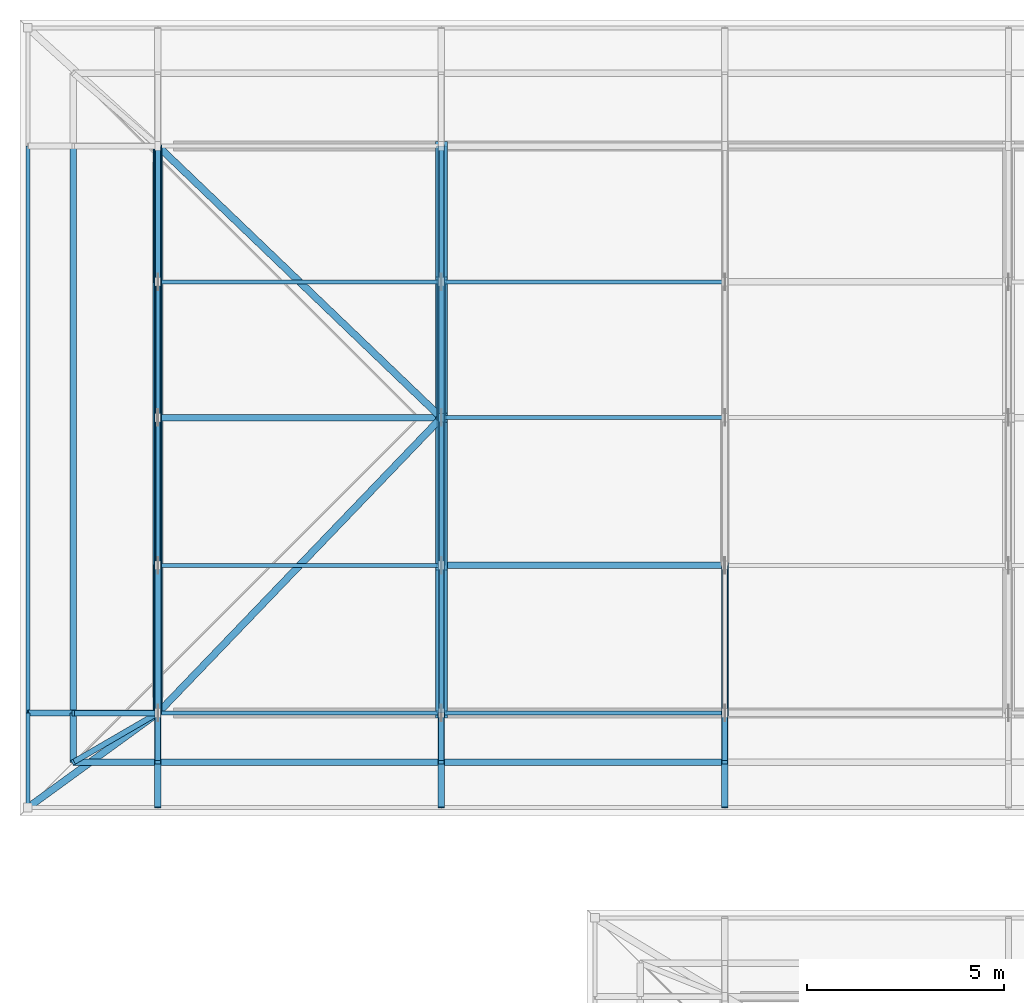
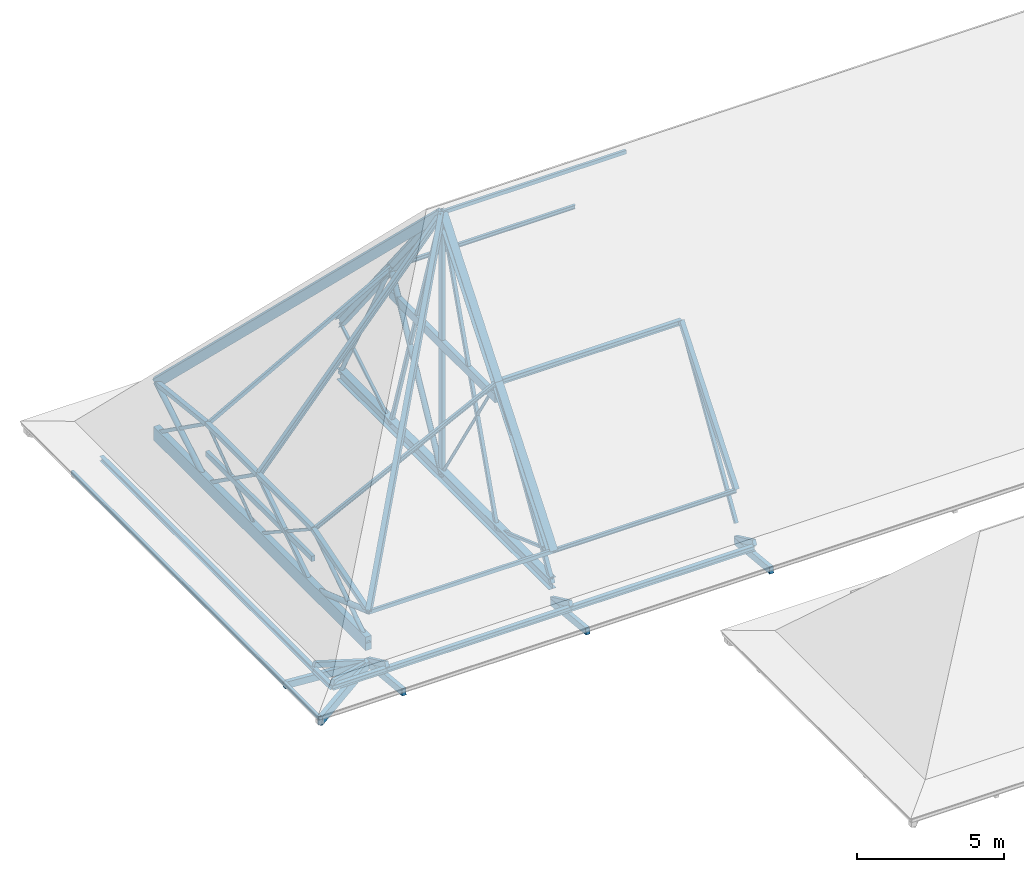
# One storey, part 2 of 12: 56 members, 2 beams.
"""IFC4 building model written with IfcOpenShell, lengths in metres."""

from ifc_helpers import new_model, si_unit, direction, frame, origin, origin_2d, place, context, subcontext, project, spatial, rectangle, hollow_rectangle, hollow_circle, i_section, extrude, material, material_profile, profile_set, type_object, element, save


model = new_model("IFC4")

# Units and contexts
model_context = context("Model", 3, precision=1e-05, world=origin(), true_north=direction((0.0, 1.0)))
body_context = subcontext(model_context, "Body", "Model", "MODEL_VIEW")
ifc_project = project(units=[si_unit("LENGTHUNIT", "METRE"), si_unit("AREAUNIT", "SQUARE_METRE"), si_unit("VOLUMEUNIT", "CUBIC_METRE"), si_unit("PLANEANGLEUNIT", "RADIAN"), si_unit("MASSUNIT", "GRAM", prefix="KILO")], contexts=[model_context])

# Site, building, storey
site_placement = place(None, origin())
site = spatial("IfcSite", under=ifc_project, at=site_placement, CompositionType="ELEMENT")
building_placement = place(site_placement, origin())
building = spatial("IfcBuilding", under=site, at=building_placement, Name="Steenspoor Specialist Clinic", CompositionType="ELEMENT")
storey_placement = place(building_placement, frame((0.0, 0.0, 25.800048828125)))
storey = spatial("IfcBuildingStorey", under=building, at=storey_placement, Name="RF", CompositionType="ELEMENT", Elevation=25.800048828125)

# Beams
ifc_material_1 = material(Name="Glulam GL28h", Category="wood")
ifc_material_profile_1 = material_profile(ifc_material_1, rectangle(XDim=0.239990234375, YDim=0.56005859375, at=origin_2d()), Name="GL28H-240X560")
ifc_profile_set_1 = profile_set([ifc_material_profile_1], Name="Glulam GL28h")
beam_type_1 = type_object("IfcBeamType", Name="BM-GL-240X560", PredefinedType="BEAM", material=ifc_profile_set_1)
beam_1_placement = place(storey_placement, frame((59.60009765625, 93.949951171875, 0.300048828125), z_axis=(0.0, 1.0, 0.0), x_axis=(-1.0, 0.0, 0.0)))
element("IfcBeam", 1, at=beam_1_placement, inside=storey, type_object=beam_type_1, Name="ROOF TRUSS Bottom Tie Chord V4 1", PredefinedType="BEAM", context=body_context, shape_type="SweptSolid", body=[
    extrude(rectangle(XDim=0.239990234375, YDim=0.56005859375, at=origin_2d()), origin(), (0.0, 0.0, 1.0), 14.400146484375),
])
ifc_material_2 = material(Name="Steel A992 Grade 50", Category="steel")
ifc_material_profile_2 = material_profile(ifc_material_2, i_section(OverallWidth=0.280029296875, OverallDepth=0.462890625, WebThickness=0.0107421875, FlangeThickness=0.017333984375, at=origin_2d()), Name="W460X113")
ifc_profile_set_2 = profile_set([ifc_material_profile_2], Name="Steel A992 Grade 50")
beam_type_2 = type_object("IfcBeamType", Name="BM-ST-W460X113", PredefinedType="BEAM", material=ifc_profile_set_2)
beam_2_placement = place(storey_placement, frame((66.800048828125, 93.949951171875, 0.25146484375), z_axis=(0.0, 1.0, 0.0), x_axis=(-1.0, 0.0, 0.0)))
element("IfcBeam", 2, at=beam_2_placement, inside=storey, type_object=beam_type_2, Name="ROOF TRUSS Bottom Tie Chord V4 2", PredefinedType="BEAM", context=body_context, shape_type="SweptSolid", body=[
    extrude(i_section(OverallWidth=0.280029296875, OverallDepth=0.462890625, WebThickness=0.0107421875, FlangeThickness=0.017333984375, at=origin_2d()), origin(), (0.0, 0.0, 1.0), 14.400146484375),
])

# Members
ifc_material_3 = material(Name="Steel A500 Grade C", Category="steel")
ifc_material_profile_3 = material_profile(ifc_material_3, hollow_circle(Radius=0.084228515625, WallThickness=0.007080078125, at=origin_2d()), Name="CHS168X7.1")
ifc_profile_set_3 = profile_set([ifc_material_profile_3], Name="Steel A500 Grade C")
member_type_1 = type_object("IfcMemberType", Name="MEM-BRACE-CHS168", PredefinedType="BRACE", material=ifc_profile_set_3)
member_1_placement = place(storey_placement, frame((59.60009765625, 93.949951171875, 0.300048828125), z_axis=(0.0, 0.836871699058, 0.547399085966), x_axis=(-1.0, 0.0, 0.0)))
element("IfcMember", 3, at=member_1_placement, inside=storey, type_object=member_type_1, Name="ROOF TRUSS Web Brace V4 1.1", PredefinedType="BRACE", context=body_context, shape_type="SweptSolid", body=[
    extrude(hollow_circle(Radius=0.084228515625, WallThickness=0.007080078125, at=origin_2d()), origin(), (0.0, 0.0, 1.0), 4.48095703125),
])
member_2_placement = place(storey_placement, frame((66.800048828125, 104.89990234375, 6.695556640625), z_axis=(0.0, 0.472009148124, -0.881593650208), x_axis=(-1.0, 0.0, 0.0)))
element("IfcMember", 4, at=member_2_placement, inside=storey, type_object=member_type_1, Name="ROOF TRUSS Web Brace V4 2.4", PredefinedType="BRACE", context=body_context, shape_type="SweptSolid", body=[
    extrude(hollow_circle(Radius=0.084228515625, WallThickness=0.007080078125, at=origin_2d()), origin(), (0.0, 0.0, 1.0), 7.3095703125),
])
ifc_material_profile_4 = material_profile(ifc_material_3, hollow_rectangle(XDim=0.126953125, YDim=0.126953125, WallThickness=0.0087890625, at=origin_2d()), Name="HSS127X127X9.5")
ifc_profile_set_4 = profile_set([ifc_material_profile_4], Name="Steel A500 Grade C")
member_type_2 = type_object("IfcMemberType", Name="MEM-BRACE-H127A", PredefinedType="BRACE", material=ifc_profile_set_4)
member_3_placement = place(storey_placement, frame((59.60009765625, 101.449951171875, 2.7529296875), z_axis=(0.0, 0.815001930851, -0.579458240695), x_axis=(-1.0, 0.0, 0.0)))
element("IfcMember", 5, at=member_3_placement, inside=storey, type_object=member_type_2, Name="ROOF TRUSS Web Brace V4 1.3", PredefinedType="BRACE", context=body_context, shape_type="SweptSolid", body=[
    extrude(hollow_rectangle(XDim=0.126953125, YDim=0.126953125, WallThickness=0.0087890625, at=origin_2d()), origin(), (0.0, 0.0, 1.0), 4.233154296875),
])
member_4_placement = place(storey_placement, frame((66.800048828125, 97.699951171875, 0.25146484375), z_axis=(0.0, 0.327845017087, 0.944731519942), x_axis=(-1.0, 0.0, 0.0)))
element("IfcMember", 6, at=member_4_placement, inside=storey, type_object=member_type_2, Name="ROOF TRUSS Web Brace V4 2.2", PredefinedType="BRACE", context=body_context, shape_type="SweptSolid", body=[
    extrude(hollow_rectangle(XDim=0.126953125, YDim=0.126953125, WallThickness=0.0087890625, at=origin_2d()), origin(), (0.0, 0.0, 1.0), 11.438232421875),
])
member_5_placement = place(storey_placement, frame((74.0, 93.949951171875, 0.228515625), z_axis=(0.0, 0.521972250556, 0.852962466729), x_axis=(-1.0, 0.0, 0.0)))
element("IfcMember", 7, at=member_5_placement, inside=storey, type_object=member_type_2, Name="ROOF TRUSS Web Brace V4 3.1", PredefinedType="BRACE", context=body_context, shape_type="SweptSolid", body=[
    extrude(hollow_rectangle(XDim=0.126953125, YDim=0.126953125, WallThickness=0.0087890625, at=origin_2d()), origin(), (0.0, 0.0, 1.0), 7.184326171875),
])
ifc_material_profile_5 = material_profile(ifc_material_3, hollow_rectangle(XDim=0.126953125, YDim=0.126953125, WallThickness=0.005859375, at=origin_2d()), Name="HSS127X127X6.4")
ifc_profile_set_5 = profile_set([ifc_material_profile_5], Name="Steel A500 Grade C")
member_type_3 = type_object("IfcMemberType", Name="MEM-BRACE-H127B", PredefinedType="BRACE", material=ifc_profile_set_5)
member_6_placement = place(storey_placement, frame((59.60009765625, 104.89990234375, 2.7529296875), z_axis=(0.0, 0.815021295044, -0.579431004197), x_axis=(-1.0, 0.0, 0.0)))
element("IfcMember", 8, at=member_6_placement, inside=storey, type_object=member_type_3, Name="ROOF TRUSS Web Brace V4 1.4", PredefinedType="BRACE", context=body_context, shape_type="SweptSolid", body=[
    extrude(hollow_rectangle(XDim=0.126953125, YDim=0.126953125, WallThickness=0.005859375, at=origin_2d()), origin(), (0.0, 0.0, 1.0), 4.233154296875),
])
member_7_placement = place(storey_placement, frame((66.800048828125, 101.449951171875, 11.0576171875), z_axis=(0.0, 0.304134512319, -0.952629098031), x_axis=(-1.0, 0.0, 0.0)))
element("IfcMember", 9, at=member_7_placement, inside=storey, type_object=member_type_3, Name="ROOF TRUSS Web Brace V4 2.3", PredefinedType="BRACE", context=body_context, shape_type="SweptSolid", body=[
    extrude(hollow_rectangle(XDim=0.126953125, YDim=0.126953125, WallThickness=0.005859375, at=origin_2d()), origin(), (0.0, 0.0, 1.0), 11.343505859375),
])
ifc_material_profile_6 = material_profile(ifc_material_3, hollow_rectangle(XDim=0.15234375, YDim=0.15234375, WallThickness=0.0087890625, at=origin_2d()), Name="HSS152X152X9.5")
ifc_profile_set_6 = profile_set([ifc_material_profile_6], Name="Steel A500 Grade C")
member_type_4 = type_object("IfcMemberType", Name="MEM-BRACE-H152", PredefinedType="BRACE", material=ifc_profile_set_6)
member_8_placement = place(storey_placement, frame((59.60009765625, 97.699951171875, 0.300048828125), z_axis=(0.0, 0.836871699058, 0.547399085966), x_axis=(-1.0, 0.0, 0.0)))
element("IfcMember", 10, at=member_8_placement, inside=storey, type_object=member_type_4, Name="ROOF TRUSS Web Brace V4 1.2", PredefinedType="BRACE", context=body_context, shape_type="SweptSolid", body=[
    extrude(hollow_rectangle(XDim=0.15234375, YDim=0.15234375, WallThickness=0.0087890625, at=origin_2d()), origin(), (0.0, 0.0, 1.0), 4.48095703125),
])
member_9_placement = place(storey_placement, frame((66.800048828125, 93.949951171875, 0.25146484375), z_axis=(0.0, 0.5259148786, 0.850537206986), x_axis=(-1.0, 0.0, 0.0)))
element("IfcMember", 11, at=member_9_placement, inside=storey, type_object=member_type_4, Name="ROOF TRUSS Web Brace V4 2.1", PredefinedType="BRACE", context=body_context, shape_type="SweptSolid", body=[
    extrude(hollow_rectangle(XDim=0.15234375, YDim=0.15234375, WallThickness=0.0087890625, at=origin_2d()), origin(), (0.0, 0.0, 1.0), 7.13037109375),
])
ifc_material_profile_7 = material_profile(ifc_material_3, hollow_rectangle(XDim=0.177734375, YDim=0.177734375, WallThickness=0.0087890625, at=origin_2d()), Name="HSS178X178X9.5")
ifc_profile_set_7 = profile_set([ifc_material_profile_7], Name="Steel A500 Grade C")
member_type_5 = type_object("IfcMemberType", Name="MEM-CHORD-H178", PredefinedType="CHORD", material=ifc_profile_set_7)
member_10_placement = place(storey_placement, frame((59.60009765625, 93.949951171875, 1.614990234375), z_axis=(0.0, 0.956912729798, 0.290375666249), x_axis=(-1.0, 0.0, 0.0)))
element("IfcMember", 12, at=member_10_placement, inside=storey, type_object=member_type_5, Name="ROOF TRUSS Top Chord V4 1.1", PredefinedType="CHORD", context=body_context, shape_type="SweptSolid", body=[
    extrude(hollow_rectangle(XDim=0.177734375, YDim=0.177734375, WallThickness=0.0087890625, at=origin_2d()), origin(), (0.0, 0.0, 1.0), 3.9189453125),
])
member_11_placement = place(storey_placement, frame((59.60009765625, 97.699951171875, 2.7529296875), z_axis=(0.0, 1.0, 0.0), x_axis=(-1.0, 0.0, 0.0)))
element("IfcMember", 13, at=member_11_placement, inside=storey, type_object=member_type_5, Name="ROOF TRUSS Top Chord V4 1.2", PredefinedType="CHORD", context=body_context, shape_type="SweptSolid", body=[
    extrude(hollow_rectangle(XDim=0.177734375, YDim=0.177734375, WallThickness=0.0087890625, at=origin_2d()), origin(), (0.0, 0.0, 1.0), 3.75),
])
member_12_placement = place(storey_placement, frame((59.60009765625, 101.449951171875, 2.7529296875), z_axis=(0.0, 1.0, 0.0), x_axis=(-1.0, 0.0, 0.0)))
element("IfcMember", 14, at=member_12_placement, inside=storey, type_object=member_type_5, Name="ROOF TRUSS Top Chord V4 1.3", PredefinedType="CHORD", context=body_context, shape_type="SweptSolid", body=[
    extrude(hollow_rectangle(XDim=0.177734375, YDim=0.177734375, WallThickness=0.0087890625, at=origin_2d()), origin(), (0.0, 0.0, 1.0), 3.449951171875),
])
member_13_placement = place(storey_placement, frame((59.60009765625, 104.89990234375, 2.7529296875), z_axis=(0.0, 0.994015970227, -0.109234843034), x_axis=(-1.0, 0.0, 0.0)))
element("IfcMember", 15, at=member_13_placement, inside=storey, type_object=member_type_5, Name="ROOF TRUSS Top Chord V4 1.4", PredefinedType="CHORD", context=body_context, shape_type="SweptSolid", body=[
    extrude(hollow_rectangle(XDim=0.177734375, YDim=0.177734375, WallThickness=0.0087890625, at=origin_2d()), origin(), (0.0, 0.0, 1.0), 3.470947265625),
])
member_14_placement = place(storey_placement, frame((74.0, 93.949951171875, 1.614990234375), z_axis=(0.0, 0.620331511659, 0.784339732287), x_axis=(-1.0, 0.0, 0.0)))
element("IfcMember", 16, at=member_14_placement, inside=storey, type_object=member_type_5, Name="ROOF TRUSS Top Chord V4 3.1", PredefinedType="CHORD", context=body_context, shape_type="SweptSolid", body=[
    extrude(hollow_rectangle(XDim=0.177734375, YDim=0.177734375, WallThickness=0.0087890625, at=origin_2d()), origin(), (0.0, 0.0, 1.0), 6.045166015625),
])
ifc_material_profile_8 = material_profile(ifc_material_2, i_section(OverallWidth=0.304931640625, OverallDepth=0.30810546875, WebThickness=0.010009765625, FlangeThickness=0.015380859375, at=origin_2d()), Name="W310X97")
ifc_profile_set_8 = profile_set([ifc_material_profile_8], Name="Steel A992 Grade 50")
member_type_6 = type_object("IfcMemberType", Name="MEM-CHORD-W310", PredefinedType="CHORD", material=ifc_profile_set_8)
for number, where, z_axis, x_axis, name in (
    (17, (66.800048828125, 93.949951171875, 1.57470703125), (0.0, 0.620331511659, 0.784339732287), (-1.0, 0.0, 0.0), "ROOF TRUSS Top Chord V4 2.1"),
    (18, (66.800048828125, 97.699951171875, 6.316162109375), (0.0, 0.620331511659, 0.784339732287), (-1.0, 0.0, 0.0), "ROOF TRUSS Top Chord V4 2.2"),
):
    element("IfcMember", number, at=place(storey_placement, frame(where, z_axis=z_axis, x_axis=x_axis)), inside=storey, type_object=member_type_6, Name=name, PredefinedType="CHORD", context=body_context, shape_type="SweptSolid", body=[
        extrude(i_section(OverallWidth=0.304931640625, OverallDepth=0.30810546875, WebThickness=0.010009765625, FlangeThickness=0.015380859375, at=origin_2d()), origin(), (0.0, 0.0, 1.0), 6.045166015625),
    ])
member_15_placement = place(storey_placement, frame((66.800048828125, 101.449951171875, 11.0576171875), z_axis=(0.0, 0.620332945322, -0.784338598405), x_axis=(-1.0, 0.0, 0.0)))
element("IfcMember", 19, at=member_15_placement, inside=storey, type_object=member_type_6, Name="ROOF TRUSS Top Chord V4 2.3", PredefinedType="CHORD", context=body_context, shape_type="SweptSolid", body=[
    extrude(i_section(OverallWidth=0.304931640625, OverallDepth=0.30810546875, WebThickness=0.010009765625, FlangeThickness=0.015380859375, at=origin_2d()), origin(), (0.0, 0.0, 1.0), 5.5615234375),
])
member_16_placement = place(storey_placement, frame((66.800048828125, 104.89990234375, 6.695556640625), z_axis=(0.0, 0.620338591913, -0.784334132487), x_axis=(-1.0, 0.0, 0.0)))
element("IfcMember", 20, at=member_16_placement, inside=storey, type_object=member_type_6, Name="ROOF TRUSS Top Chord V4 2.4", PredefinedType="CHORD", context=body_context, shape_type="SweptSolid", body=[
    extrude(i_section(OverallWidth=0.304931640625, OverallDepth=0.30810546875, WebThickness=0.010009765625, FlangeThickness=0.015380859375, at=origin_2d()), origin(), (0.0, 0.0, 1.0), 5.561767578125),
])
ifc_material_profile_9 = material_profile(ifc_material_3, hollow_rectangle(XDim=0.1015625, YDim=0.15234375, WallThickness=0.005859375, at=origin_2d()), Name="HSS152X102X6.4")
ifc_profile_set_9 = profile_set([ifc_material_profile_9], Name="Steel A500 Grade C")
member_type_7 = type_object("IfcMemberType", Name="MEM-PURLIN-H152", PredefinedType="PURLIN", material=ifc_profile_set_9)
member_17_placement = place(storey_placement, frame((56.300048828125, 91.550048828125, -0.195068359375), z_axis=(0.0, 1.0, 0.0), x_axis=(-1.0, 0.0, 0.0)))
element("IfcMember", 21, at=member_17_placement, inside=storey, type_object=member_type_7, Name="ROOF TRUSS Eave Fascia 293", PredefinedType="PURLIN", context=body_context, shape_type="SweptSolid", body=[
    extrude(hollow_rectangle(XDim=0.1015625, YDim=0.15234375, WallThickness=0.005859375, at=origin_2d()), origin(), (0.0, 0.0, 1.0), 2.39990234375),
])
member_18_placement = place(storey_placement, frame((56.300048828125, 93.949951171875, -0.195068359375), z_axis=(0.0, 1.0, 0.0), x_axis=(-1.0, 0.0, 0.0)))
element("IfcMember", 22, at=member_18_placement, inside=storey, type_object=member_type_7, Name="ROOF TRUSS Eave Fascia 294", PredefinedType="PURLIN", context=body_context, shape_type="SweptSolid", body=[
    extrude(hollow_rectangle(XDim=0.1015625, YDim=0.15234375, WallThickness=0.005859375, at=origin_2d()), origin(), (0.0, 0.0, 1.0), 14.400146484375),
])
member_19_placement = place(storey_placement, frame((59.60009765625, 93.949951171875, 1.593994140625), z_axis=(1.0, 0.0, 0.0), x_axis=(0.0, 1.0, 0.0)))
element("IfcMember", 23, at=member_19_placement, inside=storey, type_object=member_type_7, Name="ROOF TRUSS Purlin 323", PredefinedType="PURLIN", context=body_context, shape_type="SweptSolid", body=[
    extrude(hollow_rectangle(XDim=0.1015625, YDim=0.15234375, WallThickness=0.005859375, at=origin_2d()), origin(), (0.0, 0.0, 1.0), 7.199951171875),
])
member_20_placement = place(storey_placement, frame((59.60009765625, 104.89990234375, 2.73193359375), z_axis=(0.875036181622, 0.0, 0.484057518124), x_axis=(0.0, 1.0, 0.0)))
element("IfcMember", 24, at=member_20_placement, inside=storey, type_object=member_type_7, Name="ROOF TRUSS Purlin 326", PredefinedType="PURLIN", context=body_context, shape_type="SweptSolid", body=[
    extrude(hollow_rectangle(XDim=0.1015625, YDim=0.15234375, WallThickness=0.005859375, at=origin_2d()), origin(), (0.0, 0.0, 1.0), 8.228271484375),
])
member_21_placement = place(storey_placement, frame((66.800048828125, 101.449951171875, 11.076904296875), z_axis=(1.0, 0.0, 0.0), x_axis=(0.0, 1.0, 0.0)))
element("IfcMember", 25, at=member_21_placement, inside=storey, type_object=member_type_7, Name="ROOF TRUSS Purlin 330", PredefinedType="PURLIN", context=body_context, shape_type="SweptSolid", body=[
    extrude(hollow_rectangle(XDim=0.1015625, YDim=0.15234375, WallThickness=0.005859375, at=origin_2d()), origin(), (0.0, 0.0, 1.0), 7.199951171875),
])
ifc_material_profile_10 = material_profile(ifc_material_2, i_section(OverallWidth=0.10205078125, OverallDepth=0.159912109375, WebThickness=0.006591796875, FlangeThickness=0.01025390625, at=origin_2d()), Name="W150X24")
ifc_profile_set_10 = profile_set([ifc_material_profile_10], Name="Steel A992 Grade 50")
member_type_8 = type_object("IfcMemberType", Name="MEM-PURLIN-W150", PredefinedType="PURLIN", material=ifc_profile_set_10)
member_22_placement = place(storey_placement, frame((59.60009765625, 97.699951171875, 2.728271484375), z_axis=(0.894263385418, 0.0, 0.447541056776), x_axis=(0.0, 1.0, 0.0)))
element("IfcMember", 26, at=member_22_placement, inside=storey, type_object=member_type_8, Name="ROOF TRUSS Purlin 324", PredefinedType="PURLIN", context=body_context, shape_type="SweptSolid", body=[
    extrude(i_section(OverallWidth=0.10205078125, OverallDepth=0.159912109375, WebThickness=0.006591796875, FlangeThickness=0.01025390625, at=origin_2d()), origin(), (0.0, 0.0, 1.0), 8.05126953125),
])
for number, where, z_axis, x_axis, name in (
    (27, (66.800048828125, 93.949951171875, 1.59033203125), (1.0, 0.0, 0.0), (0.0, 1.0, 0.0), "ROOF TRUSS Purlin 328"),
    (28, (66.800048828125, 104.89990234375, 6.7109375), (1.0, 0.0, 0.0), (0.0, 1.0, 0.0), "ROOF TRUSS Purlin 331"),
):
    element("IfcMember", number, at=place(storey_placement, frame(where, z_axis=z_axis, x_axis=x_axis)), inside=storey, type_object=member_type_8, Name=name, PredefinedType="PURLIN", context=body_context, shape_type="SweptSolid", body=[
        extrude(i_section(OverallWidth=0.10205078125, OverallDepth=0.159912109375, WebThickness=0.006591796875, FlangeThickness=0.01025390625, at=origin_2d()), origin(), (0.0, 0.0, 1.0), 7.199951171875),
    ])
ifc_material_profile_11 = material_profile(ifc_material_2, i_section(OverallWidth=0.1650390625, OverallDepth=0.200927734375, WebThickness=0.006103515625, FlangeThickness=0.01025390625, at=origin_2d()), Name="W200X36")
ifc_profile_set_11 = profile_set([ifc_material_profile_11], Name="Steel A992 Grade 50")
member_type_9 = type_object("IfcMemberType", Name="MEM-PURLIN-W200", PredefinedType="PURLIN", material=ifc_profile_set_11)
member_23_placement = place(storey_placement, frame((57.449951171875, 92.699951171875, -0.0087890625), z_axis=(1.0, 0.0, 0.0), x_axis=(0.0, 1.0, 0.0)))
element("IfcMember", 29, at=member_23_placement, inside=storey, type_object=member_type_9, Name="ROOF TRUSS Knuckle Purlin 299", PredefinedType="PURLIN", context=body_context, shape_type="SweptSolid", body=[
    extrude(i_section(OverallWidth=0.1650390625, OverallDepth=0.200927734375, WebThickness=0.006103515625, FlangeThickness=0.01025390625, at=origin_2d()), origin(), (0.0, 0.0, 1.0), 2.150146484375),
])
for number, where, z_axis, x_axis, name in (
    (30, (59.60009765625, 92.699951171875, -0.0087890625), (1.0, 0.0, 0.0), (0.0, 1.0, 0.0), "ROOF TRUSS Knuckle Purlin 301"),
    (31, (66.800048828125, 92.699951171875, -0.0087890625), (1.0, 0.0, 0.0), (0.0, 1.0, 0.0), "ROOF TRUSS Knuckle Purlin 303"),
):
    element("IfcMember", number, at=place(storey_placement, frame(where, z_axis=z_axis, x_axis=x_axis)), inside=storey, type_object=member_type_9, Name=name, PredefinedType="PURLIN", context=body_context, shape_type="SweptSolid", body=[
        extrude(i_section(OverallWidth=0.1650390625, OverallDepth=0.200927734375, WebThickness=0.006103515625, FlangeThickness=0.01025390625, at=origin_2d()), origin(), (0.0, 0.0, 1.0), 7.199951171875),
    ])
member_24_placement = place(storey_placement, frame((57.449951171875, 92.699951171875, -0.0087890625), z_axis=(0.0, 1.0, 0.0), x_axis=(-1.0, 0.0, 0.0)))
element("IfcMember", 32, at=member_24_placement, inside=storey, type_object=member_type_9, Name="ROOF TRUSS Knuckle Purlin 317", PredefinedType="PURLIN", context=body_context, shape_type="SweptSolid", body=[
    extrude(i_section(OverallWidth=0.1650390625, OverallDepth=0.200927734375, WebThickness=0.006103515625, FlangeThickness=0.01025390625, at=origin_2d()), origin(), (0.0, 0.0, 1.0), 1.25),
])
member_25_placement = place(storey_placement, frame((57.449951171875, 93.949951171875, -0.0087890625), z_axis=(0.0, 1.0, 0.0), x_axis=(-1.0, 0.0, 0.0)))
element("IfcMember", 33, at=member_25_placement, inside=storey, type_object=member_type_9, Name="ROOF TRUSS Knuckle Purlin 318", PredefinedType="PURLIN", context=body_context, shape_type="SweptSolid", body=[
    extrude(i_section(OverallWidth=0.1650390625, OverallDepth=0.200927734375, WebThickness=0.006103515625, FlangeThickness=0.01025390625, at=origin_2d()), origin(), (0.0, 0.0, 1.0), 14.400146484375),
])
member_26_placement = place(storey_placement, frame((59.60009765625, 101.449951171875, 2.707763671875), z_axis=(0.653252429054, 0.0, 0.757140187769), x_axis=(0.0, 1.0, 0.0)))
element("IfcMember", 34, at=member_26_placement, inside=storey, type_object=member_type_9, Name="ROOF TRUSS Purlin 325", PredefinedType="PURLIN", context=body_context, shape_type="SweptSolid", body=[
    extrude(i_section(OverallWidth=0.1650390625, OverallDepth=0.200927734375, WebThickness=0.006103515625, FlangeThickness=0.01025390625, at=origin_2d()), origin(), (0.0, 0.0, 1.0), 11.021728515625),
])
member_27_placement = place(storey_placement, frame((66.800048828125, 97.699951171875, 6.31103515625), z_axis=(1.0, 0.0, 0.0), x_axis=(0.0, 1.0, 0.0)))
element("IfcMember", 35, at=member_27_placement, inside=storey, type_object=member_type_9, Name="ROOF TRUSS Purlin 329", PredefinedType="PURLIN", context=body_context, shape_type="SweptSolid", body=[
    extrude(i_section(OverallWidth=0.1650390625, OverallDepth=0.200927734375, WebThickness=0.006103515625, FlangeThickness=0.01025390625, at=origin_2d()), origin(), (0.0, 0.0, 1.0), 7.199951171875),
])
ifc_material_profile_12 = material_profile(ifc_material_1, rectangle(XDim=0.139892578125, YDim=0.219970703125, at=origin_2d()), Name="GL28H-140X220")
ifc_profile_set_12 = profile_set([ifc_material_profile_12], Name="Glulam GL28h")
member_type_10 = type_object("IfcMemberType", Name="MEM-RAFTER-GL220", PredefinedType="RAFTER", material=ifc_profile_set_12)
for number, where, z_axis, x_axis, name in (
    (36, (59.60009765625, 93.949951171875, -0.40869140625), (0.0, -0.905662768709, 0.423998761054), (1.0, 0.0, 0.0), "ROOF TRUSS Knuckle Rafter V4 180"),
    (37, (66.800048828125, 93.949951171875, -0.40869140625), (0.0, -0.905662768709, 0.423998761054), (1.0, 0.0, 0.0), "ROOF TRUSS Knuckle Rafter V4 184"),
    (38, (74.0, 93.949951171875, -0.40869140625), (0.0, -0.905662768709, 0.423998761054), (1.0, 0.0, 0.0), "ROOF TRUSS Knuckle Rafter V4 188"),
):
    element("IfcMember", number, at=place(storey_placement, frame(where, z_axis=z_axis, x_axis=x_axis)), inside=storey, type_object=member_type_10, Name=name, PredefinedType="RAFTER", context=body_context, shape_type="SweptSolid", body=[
        extrude(rectangle(XDim=0.139892578125, YDim=0.219970703125, at=origin_2d()), origin(), (0.0, 0.0, 1.0), 1.380126953125),
    ])
member_28_placement = place(storey_placement, frame((59.60009765625, 93.949951171875, -0.481689453125), z_axis=(-0.956200575685, 0.0, 0.292712246173), x_axis=(0.0, -1.0, 0.0)))
element("IfcMember", 39, at=member_28_placement, inside=storey, type_object=member_type_10, Name="ROOF TRUSS Knuckle Rafter V4 212", PredefinedType="RAFTER", context=body_context, shape_type="SweptSolid", body=[
    extrude(rectangle(XDim=0.139892578125, YDim=0.219970703125, at=origin_2d()), origin(), (0.0, 0.0, 1.0), 2.24853515625),
])
member_29_placement = place(storey_placement, frame((59.60009765625, 93.949951171875, -0.5), z_axis=(-0.834211350373, -0.484973556706, 0.262472993287), x_axis=(0.502594864926, -0.864522065508, 0.0)))
element("IfcMember", 40, at=member_29_placement, inside=storey, type_object=member_type_10, Name="ROOF TRUSS Corner Knuckle Rafter V4 220", PredefinedType="RAFTER", context=body_context, shape_type="SweptSolid", body=[
    extrude(rectangle(XDim=0.139892578125, YDim=0.219970703125, at=origin_2d()), origin(), (0.0, 0.0, 1.0), 2.577392578125),
])
member_30_placement = place(storey_placement, frame((59.60009765625, 97.699951171875, 1.526123046875), z_axis=(0.0, 1.0, 0.0), x_axis=(-1.0, 0.0, 0.0)))
element("IfcMember", 41, at=member_30_placement, inside=storey, type_object=member_type_10, Name="ROOF TRUSS Glulam Collar Rafter V4 1", PredefinedType="RAFTER", context=body_context, shape_type="SweptSolid", body=[
    extrude(rectangle(XDim=0.139892578125, YDim=0.219970703125, at=origin_2d()), origin(), (0.0, 0.0, 1.0), 7.199951171875),
])
member_31_placement = place(storey_placement, frame((66.800048828125, 101.449951171875, 0.179931640625), z_axis=(0.0, 0.0, 1.0), x_axis=(1.0, 0.0, 0.0)))
element("IfcMember", 42, at=member_31_placement, inside=storey, type_object=member_type_10, Name="ROOF TRUSS Hip King Post V4 W", PredefinedType="RAFTER", context=body_context, shape_type="SweptSolid", body=[
    extrude(rectangle(XDim=0.139892578125, YDim=0.219970703125, at=origin_2d()), origin(), (0.0, 0.0, 1.0), 10.917724609375),
])
ifc_material_profile_13 = material_profile(ifc_material_1, rectangle(XDim=0.159912109375, YDim=0.280029296875, at=origin_2d()), Name="GL28H-160X280")
ifc_profile_set_13 = profile_set([ifc_material_profile_13], Name="Glulam GL28h")
member_type_11 = type_object("IfcMemberType", Name="MEM-RAFTER-GL280", PredefinedType="RAFTER", material=ifc_profile_set_13)
for number, where, z_axis, x_axis, name in (
    (43, (59.60009765625, 93.949951171875, -0.5), (0.0, -0.99532367136, 0.096596010425), (1.0, 0.0, 0.0), "ROOF TRUSS Flared Eave Glulam Outrigger V4 179"),
    (44, (66.800048828125, 93.949951171875, -0.5), (0.0, -0.99532367136, 0.096596010425), (1.0, 0.0, 0.0), "ROOF TRUSS Flared Eave Glulam Outrigger V4 183"),
    (45, (74.0, 93.949951171875, -0.5), (0.0, -0.99532367136, 0.096596010425), (1.0, 0.0, 0.0), "ROOF TRUSS Flared Eave Glulam Outrigger V4 187"),
):
    element("IfcMember", number, at=place(storey_placement, frame(where, z_axis=z_axis, x_axis=x_axis)), inside=storey, type_object=member_type_11, Name=name, PredefinedType="RAFTER", context=body_context, shape_type="SweptSolid", body=[
        extrude(rectangle(XDim=0.159912109375, YDim=0.280029296875, at=origin_2d()), origin(), (0.0, 0.0, 1.0), 2.4111328125),
    ])
member_32_placement = place(storey_placement, frame((59.60009765625, 93.949951171875, -0.5), z_axis=(-0.997518653982, 0.0, 0.070402663009), x_axis=(0.0, -1.0, 0.0)))
element("IfcMember", 46, at=member_32_placement, inside=storey, type_object=member_type_11, Name="ROOF TRUSS Flared Eave Glulam Outrigger V4 211", PredefinedType="RAFTER", context=body_context, shape_type="SweptSolid", body=[
    extrude(rectangle(XDim=0.159912109375, YDim=0.280029296875, at=origin_2d()), origin(), (0.0, 0.0, 1.0), 3.308349609375),
])
ifc_material_profile_14 = material_profile(ifc_material_1, rectangle(XDim=0.179931640625, YDim=0.360107421875, at=origin_2d()), Name="GL28H-180X360")
ifc_profile_set_14 = profile_set([ifc_material_profile_14], Name="Glulam GL28h")
member_type_12 = type_object("IfcMemberType", Name="MEM-RAFTER-GL360", PredefinedType="RAFTER", material=ifc_profile_set_14)
member_33_placement = place(storey_placement, frame((59.60009765625, 93.949951171875, -0.5), z_axis=(-0.807861021068, -0.587502688252, 0.046916542246), x_axis=(0.588150351935, -0.808751608047, 0.0)))
element("IfcMember", 47, at=member_33_placement, inside=storey, type_object=member_type_12, Name="ROOF TRUSS Corner Hip Outrigger V4 219", PredefinedType="RAFTER", context=body_context, shape_type="SweptSolid", body=[
    extrude(rectangle(XDim=0.179931640625, YDim=0.360107421875, at=origin_2d()), origin(), (0.0, 0.0, 1.0), 4.0849609375),
])
member_34_placement = place(storey_placement, frame((66.800048828125, 97.699951171875, 5.654052734375), z_axis=(0.0, 1.0, 0.0), x_axis=(-1.0, 0.0, 0.0)))
element("IfcMember", 48, at=member_34_placement, inside=storey, type_object=member_type_12, Name="ROOF TRUSS Glulam Collar Rafter V4 2", PredefinedType="RAFTER", context=body_context, shape_type="SweptSolid", body=[
    extrude(rectangle(XDim=0.179931640625, YDim=0.360107421875, at=origin_2d()), origin(), (0.0, 0.0, 1.0), 7.199951171875),
])
member_35_placement = place(storey_placement, frame((59.60009765625, 93.949951171875, 1.614990234375), z_axis=(0.512646849041, 0.53401075591, 0.672328580935), x_axis=(-0.721389667345, 0.692529384104, 0.0)))
element("IfcMember", 49, at=member_35_placement, inside=storey, type_object=member_type_12, Name="ROOF TRUSS Hip Rafter V4 358", PredefinedType="RAFTER", context=body_context, shape_type="SweptSolid", body=[
    extrude(rectangle(XDim=0.179931640625, YDim=0.360107421875, at=origin_2d()), origin(), (0.0, 0.0, 1.0), 14.044677734375),
])
member_36_placement = place(storey_placement, frame((59.60009765625, 108.35009765625, 2.373779296875), z_axis=(0.54448242808, -0.521810276519, 0.656698500708), x_axis=(0.691915465865, 0.721978523293, 0.0)))
element("IfcMember", 50, at=member_36_placement, inside=storey, type_object=member_type_12, Name="ROOF TRUSS Hip Rafter V4 359", PredefinedType="RAFTER", context=body_context, shape_type="SweptSolid", body=[
    extrude(rectangle(XDim=0.179931640625, YDim=0.360107421875, at=origin_2d()), origin(), (0.0, 0.0, 1.0), 13.223388671875),
])
ifc_material_profile_15 = material_profile(ifc_material_3, hollow_circle(Radius=0.05712890625, WallThickness=0.006103515625, at=origin_2d()), Name="CHS114X6.0")
ifc_profile_set_15 = profile_set([ifc_material_profile_15], Name="Steel A500 Grade C")
member_type_13 = type_object("IfcMemberType", Name="MEM-STRUT-CHS114", PredefinedType="STRUT", material=ifc_profile_set_15)
member_37_placement = place(storey_placement, frame((59.60009765625, 101.449951171875, 0.300048828125), z_axis=(0.0, 0.815001930851, 0.579458240695), x_axis=(-1.0, 0.0, 0.0)))
element("IfcMember", 51, at=member_37_placement, inside=storey, type_object=member_type_13, Name="ROOF TRUSS Web Strut V4 1.3", PredefinedType="STRUT", context=body_context, shape_type="SweptSolid", body=[
    extrude(hollow_circle(Radius=0.05712890625, WallThickness=0.006103515625, at=origin_2d()), origin(), (0.0, 0.0, 1.0), 4.233154296875),
])
member_38_placement = place(storey_placement, frame((66.800048828125, 97.699951171875, 6.316162109375), z_axis=(0.0, 0.5259148786, -0.850537206986), x_axis=(-1.0, 0.0, 0.0)))
element("IfcMember", 52, at=member_38_placement, inside=storey, type_object=member_type_13, Name="ROOF TRUSS Web Strut V4 2.2", PredefinedType="STRUT", context=body_context, shape_type="SweptSolid", body=[
    extrude(hollow_circle(Radius=0.05712890625, WallThickness=0.006103515625, at=origin_2d()), origin(), (0.0, 0.0, 1.0), 7.13037109375),
])
ifc_material_profile_16 = material_profile(ifc_material_3, hollow_circle(Radius=0.109619140625, WallThickness=0.00830078125, at=origin_2d()), Name="CHS219X8.2")
ifc_profile_set_16 = profile_set([ifc_material_profile_16], Name="Steel A500 Grade C")
member_type_14 = type_object("IfcMemberType", Name="MEM-STRUT-CHS219", PredefinedType="STRUT", material=ifc_profile_set_16)
member_39_placement = place(storey_placement, frame((59.60009765625, 93.949951171875, 1.614990234375), z_axis=(0.0, 0.943666635803, -0.33089768883), x_axis=(-1.0, 0.0, 0.0)))
element("IfcMember", 53, at=member_39_placement, inside=storey, type_object=member_type_14, Name="ROOF TRUSS Web Strut V4 1.1", PredefinedType="STRUT", context=body_context, shape_type="SweptSolid", body=[
    extrude(hollow_circle(Radius=0.109619140625, WallThickness=0.00830078125, at=origin_2d()), origin(), (0.0, 0.0, 1.0), 3.973876953125),
])
member_40_placement = place(storey_placement, frame((59.60009765625, 104.89990234375, 0.300048828125), z_axis=(0.0, 0.857096667106, 0.515155610699), x_axis=(-1.0, 0.0, 0.0)))
element("IfcMember", 54, at=member_40_placement, inside=storey, type_object=member_type_14, Name="ROOF TRUSS Web Strut V4 1.4", PredefinedType="STRUT", context=body_context, shape_type="SweptSolid", body=[
    extrude(hollow_circle(Radius=0.109619140625, WallThickness=0.00830078125, at=origin_2d()), origin(), (0.0, 0.0, 1.0), 4.025390625),
])
member_41_placement = place(storey_placement, frame((66.800048828125, 101.449951171875, 0.25146484375), z_axis=(0.0, 0.471983188765, 0.881607548472), x_axis=(-1.0, 0.0, 0.0)))
element("IfcMember", 55, at=member_41_placement, inside=storey, type_object=member_type_14, Name="ROOF TRUSS Web Strut V4 2.3", PredefinedType="STRUT", context=body_context, shape_type="SweptSolid", body=[
    extrude(hollow_circle(Radius=0.109619140625, WallThickness=0.00830078125, at=origin_2d()), origin(), (0.0, 0.0, 1.0), 7.3095703125),
])
ifc_material_profile_17 = material_profile(ifc_material_3, hollow_rectangle(XDim=0.1015625, YDim=0.1015625, WallThickness=0.005859375, at=origin_2d()), Name="HSS102X102X6.4")
ifc_profile_set_17 = profile_set([ifc_material_profile_17], Name="Steel A500 Grade C")
member_type_15 = type_object("IfcMemberType", Name="MEM-STRUT-H102", PredefinedType="STRUT", material=ifc_profile_set_17)
member_42_placement = place(storey_placement, frame((59.60009765625, 97.699951171875, 2.7529296875), z_axis=(0.0, 0.836871699058, -0.547399085966), x_axis=(-1.0, 0.0, 0.0)))
element("IfcMember", 56, at=member_42_placement, inside=storey, type_object=member_type_15, Name="ROOF TRUSS Web Strut V4 1.2", PredefinedType="STRUT", context=body_context, shape_type="SweptSolid", body=[
    extrude(hollow_rectangle(XDim=0.1015625, YDim=0.1015625, WallThickness=0.005859375, at=origin_2d()), origin(), (0.0, 0.0, 1.0), 4.48095703125),
])
member_43_placement = place(storey_placement, frame((66.800048828125, 93.949951171875, 1.57470703125), z_axis=(0.0, 0.943012999977, -0.332755889315), x_axis=(-1.0, 0.0, 0.0)))
element("IfcMember", 57, at=member_43_placement, inside=storey, type_object=member_type_15, Name="ROOF TRUSS Web Strut V4 2.1", PredefinedType="STRUT", context=body_context, shape_type="SweptSolid", body=[
    extrude(hollow_rectangle(XDim=0.1015625, YDim=0.1015625, WallThickness=0.005859375, at=origin_2d()), origin(), (0.0, 0.0, 1.0), 3.9765625),
])
member_44_placement = place(storey_placement, frame((66.800048828125, 104.89990234375, 0.25146484375), z_axis=(0.0, 0.856212613008, 0.516623616694), x_axis=(-1.0, 0.0, 0.0)))
element("IfcMember", 58, at=member_44_placement, inside=storey, type_object=member_type_15, Name="ROOF TRUSS Web Strut V4 2.4", PredefinedType="STRUT", context=body_context, shape_type="SweptSolid", body=[
    extrude(hollow_rectangle(XDim=0.1015625, YDim=0.1015625, WallThickness=0.005859375, at=origin_2d()), origin(), (0.0, 0.0, 1.0), 4.029541015625),
])

save(model, "model.ifc")
